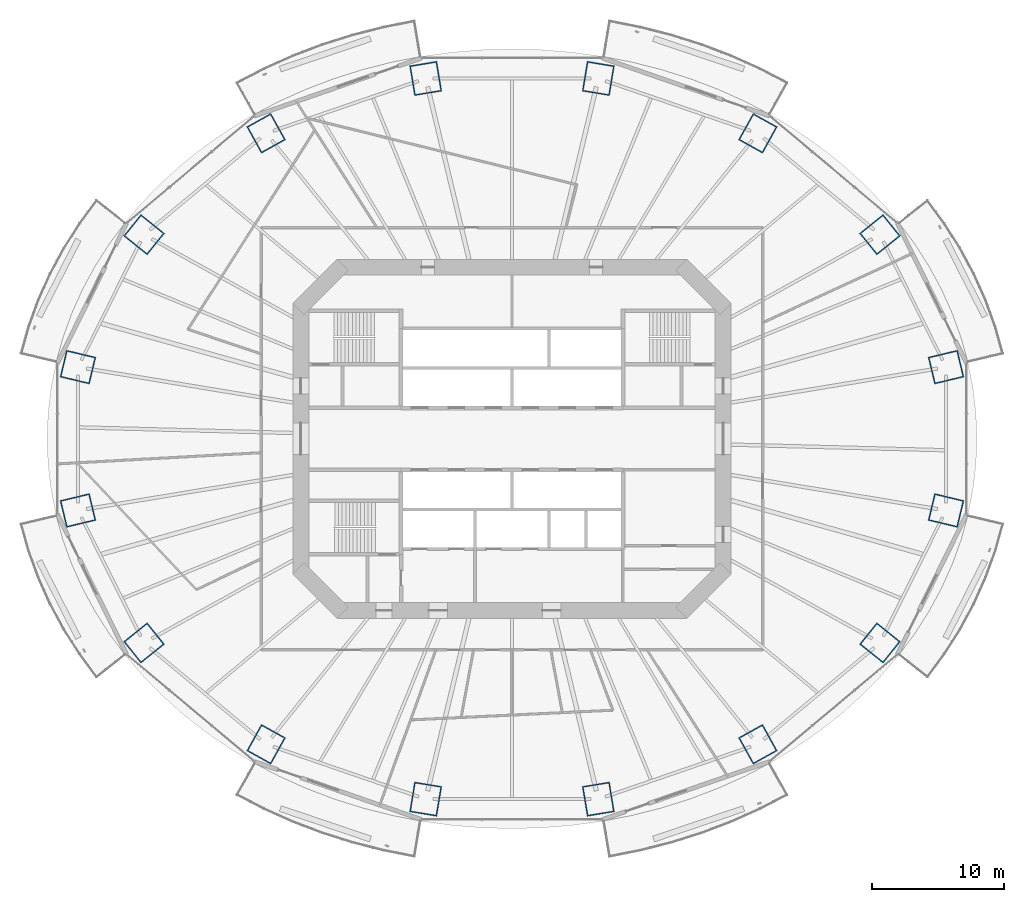
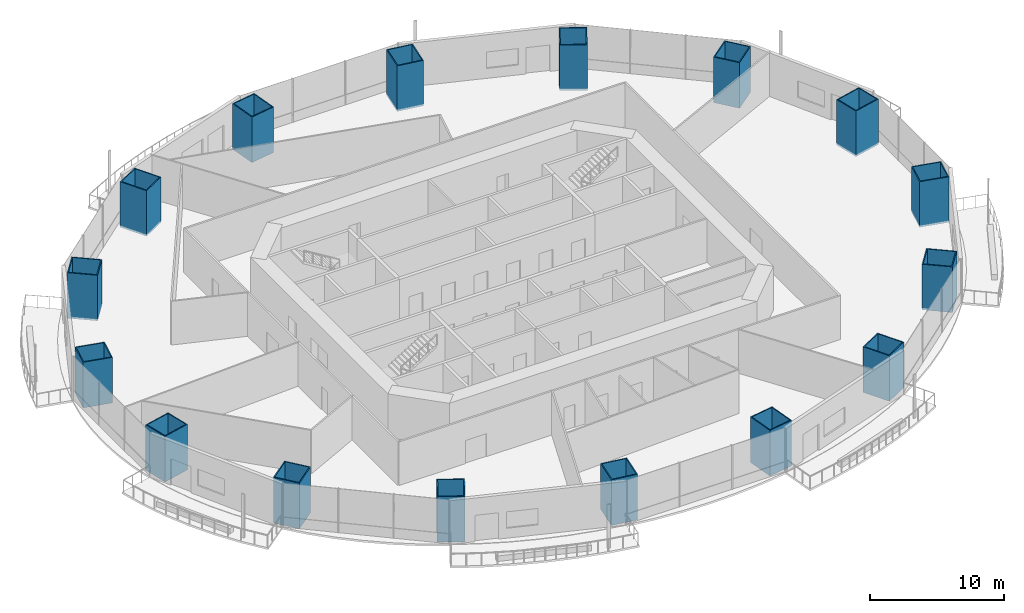
# One storey, part 1 of 22: 16 columns.
"""IFC4 building model written with IfcOpenShell, lengths in metres."""

from ifc_helpers import new_model, si_unit, direction, frame, origin, origin_2d, place, context, subcontext, project, spatial, rectangle, hollow_rectangle, extrude, material, material_profile, profile_set, type_object, element, save


model = new_model("IFC4")

# Units and contexts
model_context = context("Model", 3, precision=1e-05, world=origin(), true_north=direction((0.0, 1.0)))
body_context = subcontext(model_context, "Body", "Model", "MODEL_VIEW")
ifc_project = project(units=[si_unit("LENGTHUNIT", "METRE"), si_unit("AREAUNIT", "SQUARE_METRE"), si_unit("VOLUMEUNIT", "CUBIC_METRE"), si_unit("PLANEANGLEUNIT", "RADIAN"), si_unit("MASSUNIT", "GRAM", prefix="KILO")], contexts=[model_context])

# Site, building, storey
site_placement = place(None, origin())
site = spatial("IfcSite", under=ifc_project, at=site_placement, CompositionType="ELEMENT")
building_placement = place(site_placement, origin())
building = spatial("IfcBuilding", under=site, at=building_placement, Name="Marenthal Gate Tower", CompositionType="ELEMENT")
storey_placement = place(building_placement, frame((0.0, 0.0, 91.10009765625)))
storey = spatial("IfcBuildingStorey", under=building, at=storey_placement, Name="L18", CompositionType="ELEMENT", Elevation=91.10009765625)

# Columns
ifc_material_1 = material(Name="Steel S460", Category="steel")
ifc_material_profile_1 = material_profile(ifc_material_1, hollow_rectangle(XDim=2.10009765625, YDim=2.300048828125, WallThickness=0.0849609375, at=origin_2d()), Name="CFT BOX 2300X2100X85")
ifc_material_2 = material(Name="Concrete 70 MPa", Category="concrete")
ifc_material_profile_2 = material_profile(ifc_material_2, rectangle(XDim=1.929931640625, YDim=2.1298828125, at=origin_2d()), Name="CFT BOX 2300X2100X85 INFILL")
ifc_profile_set = profile_set([ifc_material_profile_1, ifc_material_profile_2], Name="Steel S460 shell, Concrete 70 MPa infill")
column_type = type_object("IfcColumnType", Name="CFT BOX 2300X2100X85", PredefinedType="COLUMN", material=ifc_profile_set)
for number, where, z_axis, x_axis, name in (
    (1, (32.88671875, 5.430908203125, -0.18017578125), (0.0, 0.0, 1.0), (0.232997303195, -0.972477381076, 0.0), "COL-L18-01"),
    (2, (27.8798828125, 15.466064453125, -0.18017578125), (0.0, 0.0, 1.0), (0.626984592904, -0.779031655494, 0.0), "COL-L18-02"),
    (3, (18.62890625, 23.146484375, -0.18017578125), (0.0, 0.0, 1.0), (0.874462276707, -0.485093523576, 0.0), "COL-L18-03"),
    (4, (6.54150390625, 27.302978515625, -0.18017578125), (0.0, 0.0, 1.0), (0.98663707662, -0.162933357659, 0.0), "COL-L18-04"),
    (5, (-6.54150390625, 27.302978515625, -0.18017578125), (0.0, 0.0, 1.0), (0.98663707662, 0.162933357659, 0.0), "COL-L18-05"),
    (6, (-18.62890625, 23.146484375, -0.18017578125), (0.0, 0.0, 1.0), (0.874462276707, 0.485093523576, 0.0), "COL-L18-06"),
    (7, (-27.8798828125, 15.466064453125, -0.18017578125), (0.0, 0.0, 1.0), (0.626984592904, 0.779031655494, 0.0), "COL-L18-07"),
    (8, (-32.88671875, 5.430908203125, -0.18017578125), (0.0, 0.0, 1.0), (0.232997303195, 0.972477381076, 0.0), "COL-L18-08"),
    (9, (-32.88671875, -5.430908203125, -0.18017578125), (0.0, 0.0, 1.0), (-0.232997303195, 0.972477381076, 0.0), "COL-L18-09"),
    (10, (-27.8798828125, -15.466064453125, -0.18017578125), (0.0, 0.0, 1.0), (-0.626984592904, 0.779031655494, 0.0), "COL-L18-10"),
    (11, (-18.62890625, -23.146484375, -0.18017578125), (0.0, 0.0, 1.0), (-0.874462276707, 0.485093523576, 0.0), "COL-L18-11"),
    (12, (-6.54150390625, -27.302978515625, -0.18017578125), (0.0, 0.0, 1.0), (-0.98663707662, 0.162933357659, 0.0), "COL-L18-12"),
    (13, (6.54150390625, -27.302978515625, -0.18017578125), (0.0, 0.0, 1.0), (-0.98663707662, -0.162933357659, 0.0), "COL-L18-13"),
    (14, (18.62890625, -23.146484375, -0.18017578125), (0.0, 0.0, 1.0), (-0.874462276707, -0.485093523576, 0.0), "COL-L18-14"),
    (15, (27.8798828125, -15.466064453125, -0.18017578125), (0.0, 0.0, 1.0), (-0.626984592904, -0.779031655494, 0.0), "COL-L18-15"),
    (16, (32.88671875, -5.430908203125, -0.18017578125), (0.0, 0.0, 1.0), (-0.232997303195, -0.972477381076, 0.0), "COL-L18-16"),
):
    element("IfcColumn", number, at=place(storey_placement, frame(where, z_axis=z_axis, x_axis=x_axis)), inside=storey, type_object=column_type, Name=name, PredefinedType="COLUMN", context=body_context, shape_type="SweptSolid", body=[
        extrude(hollow_rectangle(XDim=2.10009765625, YDim=2.300048828125, WallThickness=0.0849609375, at=origin_2d()), origin(), (0.0, 0.0, 1.0), 4.150146484375),
    ])

save(model, "model.ifc")
